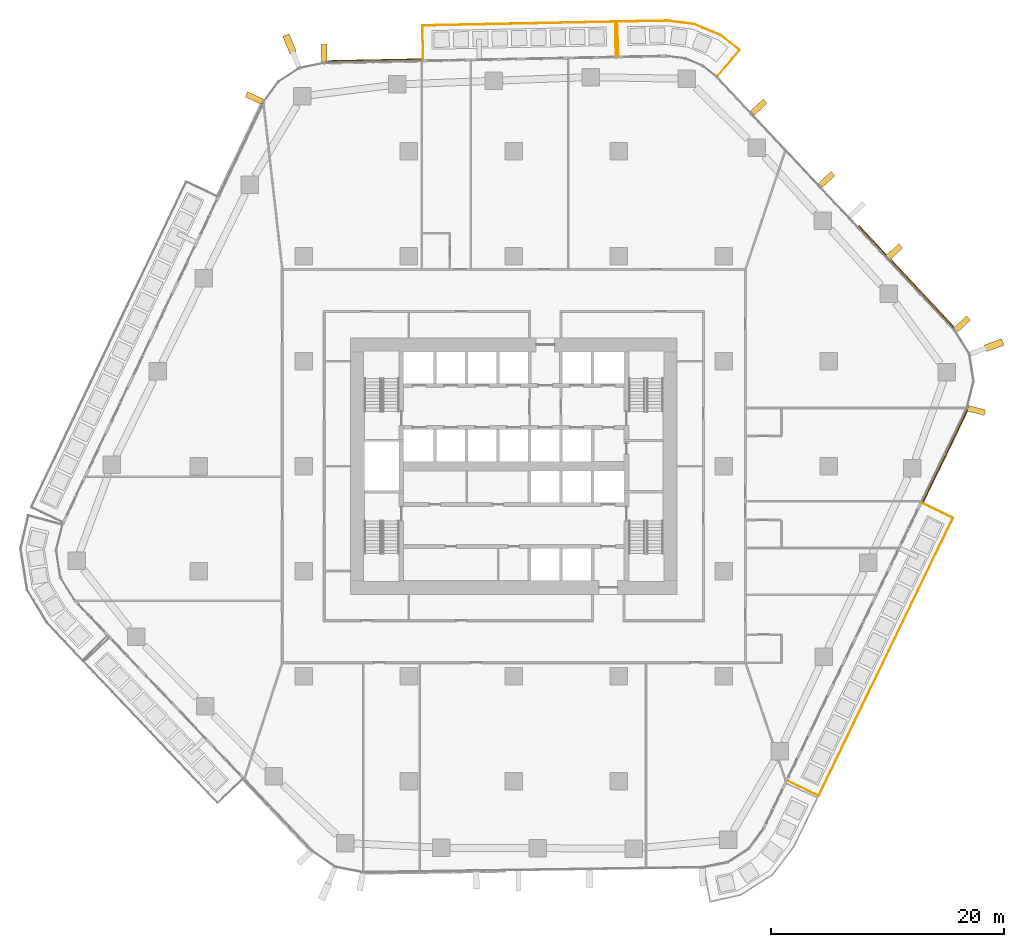
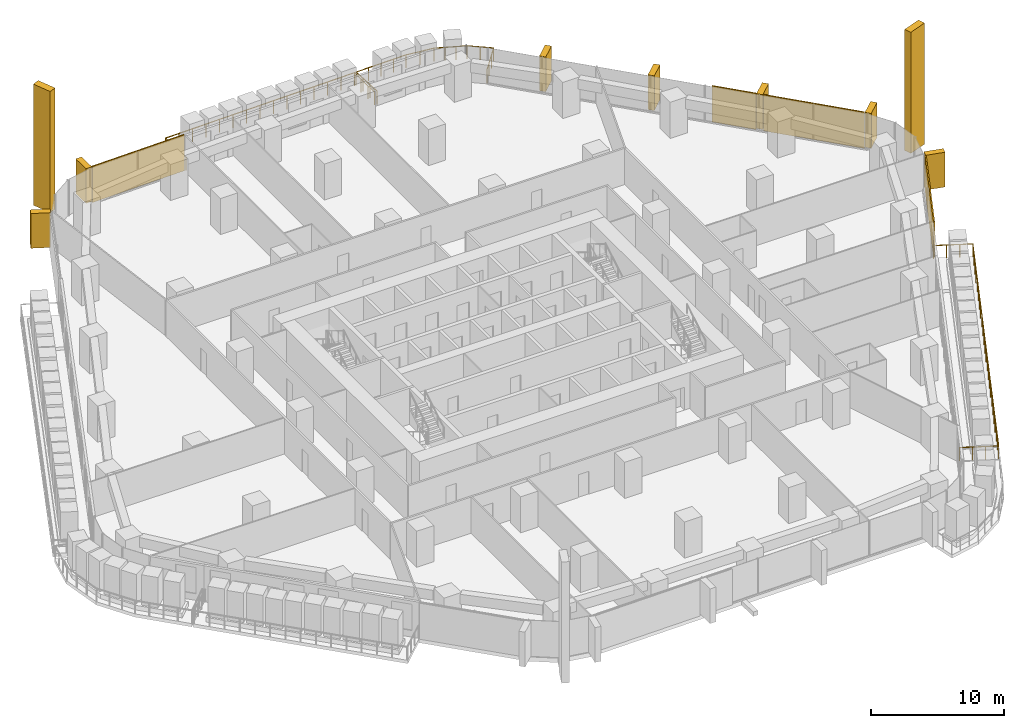
# One storey, part 24 of 24: 13 coverings, 3 railings, 6 elements without a shape of their own.
"""IFC4 building model written with IfcOpenShell, lengths in metres."""

from ifc_helpers import new_model, si_unit, direction, frame, origin, origin_2d, place, context, subcontext, project, spatial, rectangle, circle, extrude, material, layer, layer_set, material_profile, profile_set, type_object, element, aggregate, save


model = new_model("IFC4")

# Units and contexts
model_context = context("Model", 3, precision=1e-05, world=origin(), true_north=direction((0.0, 1.0)))
body_context = subcontext(model_context, "Body", "Model", "MODEL_VIEW")
ifc_project = project(units=[si_unit("LENGTHUNIT", "METRE"), si_unit("AREAUNIT", "SQUARE_METRE"), si_unit("VOLUMEUNIT", "CUBIC_METRE"), si_unit("PLANEANGLEUNIT", "RADIAN"), si_unit("MASSUNIT", "GRAM", prefix="KILO")], contexts=[model_context])

# Site, building, storey
site_placement = place(None, origin())
site = spatial("IfcSite", under=ifc_project, at=site_placement, CompositionType="ELEMENT")
building_placement = place(site_placement, origin())
building = spatial("IfcBuilding", under=site, at=building_placement, Name="Dongbaek Canopy Tower", CompositionType="ELEMENT")
storey_placement = place(building_placement, frame((0.0, 0.0, 44.0)))
storey = spatial("IfcBuildingStorey", under=building, at=storey_placement, Name="L06", CompositionType="ELEMENT", Elevation=44.0)

# Railings
ifc_material_1 = material(Name="Stainless steel", Category="steel")
railing_type = type_object("IfcRailingType", Name="Balcony balustrade 1200", PredefinedType="BALUSTRADE", material=ifc_material_1)
railing_1_placement = place(storey_placement, frame((8.749755859375, 35.16064453125, 0.0)))
element("IfcRailing", 1, at=railing_1_placement, inside=storey, type_object=railing_type, Name="Balcony guard L06 1", PredefinedType="BALUSTRADE", context=body_context, shape_type="SweptSolid", body=[
    extrude(circle(Radius=0.02392578125, at=origin_2d()), frame((0.0, 0.0, 1.17578125), z_axis=(-0.019931250494, 0.999801352897, 0.0), x_axis=(-0.999801352897, -0.019931250494, 0.0)), (0.0, 0.0, 1.0), 2.939697265625),
    extrude(circle(Radius=0.02392578125, at=origin_2d()), frame((-0.05859375, 2.939208984375, 1.17578125), z_axis=(-0.99980155692, -0.019921013534, 0.0), x_axis=(0.019921013534, -0.99980155692, 0.0)), (0.0, 0.0, 1.0), 16.532470703125),
    extrude(circle(Radius=0.02392578125, at=origin_2d()), frame((-16.587890625, 2.60986328125, 1.17578125), z_axis=(0.019929595732, -0.999801385883, 0.0), x_axis=(0.999801385883, 0.019929595732, 0.0)), (0.0, 0.0, 1.0), 2.93994140625),
    extrude(circle(Radius=0.02099609375, at=origin_2d()), origin(), (0.0, 0.0, 1.0), 1.15185546875),
    extrude(circle(Radius=0.02099609375, at=origin_2d()), frame((-0.01953125, 0.979736328125, 0.0)), (0.0, 0.0, 1.0), 1.15185546875),
    extrude(circle(Radius=0.02099609375, at=origin_2d()), frame((-0.0390625, 1.95947265625, 0.0)), (0.0, 0.0, 1.0), 1.15185546875),
    extrude(circle(Radius=0.02099609375, at=origin_2d()), frame((-0.05859375, 2.939208984375, 0.0)), (0.0, 0.0, 1.0), 1.15185546875),
    extrude(circle(Radius=0.02099609375, at=origin_2d()), frame((-1.2392578125, 2.915771484375, 0.0)), (0.0, 0.0, 1.0), 1.15185546875),
    extrude(circle(Radius=0.02099609375, at=origin_2d()), frame((-2.419921875, 2.89208984375, 0.0)), (0.0, 0.0, 1.0), 1.15185546875),
    extrude(circle(Radius=0.02099609375, at=origin_2d()), frame((-3.6005859375, 2.86865234375, 0.0)), (0.0, 0.0, 1.0), 1.15185546875),
    extrude(circle(Radius=0.02099609375, at=origin_2d()), frame((-4.78125, 2.84521484375, 0.0)), (0.0, 0.0, 1.0), 1.15185546875),
    extrude(circle(Radius=0.02099609375, at=origin_2d()), frame((-5.9619140625, 2.821533203125, 0.0)), (0.0, 0.0, 1.0), 1.15185546875),
    extrude(circle(Radius=0.02099609375, at=origin_2d()), frame((-7.142578125, 2.798095703125, 0.0)), (0.0, 0.0, 1.0), 1.15185546875),
    extrude(circle(Radius=0.02099609375, at=origin_2d()), frame((-8.3232421875, 2.7744140625, 0.0)), (0.0, 0.0, 1.0), 1.15185546875),
    extrude(circle(Radius=0.02099609375, at=origin_2d()), frame((-9.50390625, 2.7509765625, 0.0)), (0.0, 0.0, 1.0), 1.15185546875),
    extrude(circle(Radius=0.02099609375, at=origin_2d()), frame((-10.6845703125, 2.7275390625, 0.0)), (0.0, 0.0, 1.0), 1.15185546875),
    extrude(circle(Radius=0.02099609375, at=origin_2d()), frame((-11.865234375, 2.703857421875, 0.0)), (0.0, 0.0, 1.0), 1.15185546875),
    extrude(circle(Radius=0.02099609375, at=origin_2d()), frame((-13.0458984375, 2.680419921875, 0.0)), (0.0, 0.0, 1.0), 1.15185546875),
    extrude(circle(Radius=0.02099609375, at=origin_2d()), frame((-14.2265625, 2.656982421875, 0.0)), (0.0, 0.0, 1.0), 1.15185546875),
    extrude(circle(Radius=0.02099609375, at=origin_2d()), frame((-15.4072265625, 2.63330078125, 0.0)), (0.0, 0.0, 1.0), 1.15185546875),
    extrude(circle(Radius=0.02099609375, at=origin_2d()), frame((-16.587890625, 2.60986328125, 0.0)), (0.0, 0.0, 1.0), 1.15185546875),
    extrude(circle(Radius=0.02099609375, at=origin_2d()), frame((-16.568359375, 1.630126953125, 0.0)), (0.0, 0.0, 1.0), 1.15185546875),
    extrude(circle(Radius=0.02099609375, at=origin_2d()), frame((-16.548828125, 0.650146484375, 0.0)), (0.0, 0.0, 1.0), 1.15185546875),
    extrude(circle(Radius=0.02099609375, at=origin_2d()), frame((-16.529296875, -0.32958984375, 0.0)), (0.0, 0.0, 1.0), 1.15185546875),
])
railing_2_placement = place(storey_placement, frame((17.45703125, 33.421142578125, 0.0)))
element("IfcRailing", 2, at=railing_2_placement, inside=storey, type_object=railing_type, Name="Balcony guard L06 5", PredefinedType="BALUSTRADE", context=body_context, shape_type="SweptSolid", body=[
    extrude(circle(Radius=0.02392578125, at=origin_2d()), frame((0.0, 0.0, 1.17578125), z_axis=(0.642907779977, 0.765943592209, 0.0), x_axis=(-0.765943592209, 0.642907779977, 0.0)), (0.0, 0.0, 1.0), 2.940673828125),
    extrude(circle(Radius=0.02392578125, at=origin_2d()), frame((1.890625, 2.25244140625, 1.17578125), z_axis=(-0.787748761322, 0.61599666317, 0.0), x_axis=(-0.61599666317, -0.787748761322, 0.0)), (0.0, 0.0, 1.0), 2.0283203125),
    extrude(circle(Radius=0.02392578125, at=origin_2d()), frame((0.292724609375, 3.501953125, 1.17578125), z_axis=(-0.921559598396, 0.388236920713, 0.0), x_axis=(-0.388236920713, -0.921559598396, 0.0)), (0.0, 0.0, 1.0), 2.487060546875),
    extrude(circle(Radius=0.02392578125, at=origin_2d()), frame((-1.999267578125, 4.467529296875, 1.17578125), z_axis=(-0.991677748115, 0.128744879095, 0.0), x_axis=(-0.128744879095, -0.991677748115, 0.0)), (0.0, 0.0, 1.0), 2.283203125),
    extrude(circle(Radius=0.02392578125, at=origin_2d()), frame((-4.263427734375, 4.761474609375, 1.17578125), z_axis=(-0.999833112969, -0.018268722197, 0.0), x_axis=(0.018268722197, -0.999833112969, 0.0)), (0.0, 0.0, 1.0), 4.34326171875),
    extrude(circle(Radius=0.02392578125, at=origin_2d()), frame((-8.60595703125, 4.68212890625, 1.17578125), z_axis=(0.040349332627, -0.999185634082, 0.0), x_axis=(0.999185634082, 0.040349332627, 0.0)), (0.0, 0.0, 1.0), 2.940673828125),
    extrude(circle(Radius=0.02099609375, at=origin_2d()), origin(), (0.0, 0.0, 1.0), 1.15185546875),
    extrude(circle(Radius=0.02099609375, at=origin_2d()), frame((0.630126953125, 0.750732421875, 0.0)), (0.0, 0.0, 1.0), 1.15185546875),
    extrude(circle(Radius=0.02099609375, at=origin_2d()), frame((1.260498046875, 1.501708984375, 0.0)), (0.0, 0.0, 1.0), 1.15185546875),
    extrude(circle(Radius=0.02099609375, at=origin_2d()), frame((1.890625, 2.25244140625, 0.0)), (0.0, 0.0, 1.0), 1.15185546875),
    extrude(circle(Radius=0.02099609375, at=origin_2d()), frame((1.091796875, 2.877197265625, 0.0)), (0.0, 0.0, 1.0), 1.15185546875),
    extrude(circle(Radius=0.02099609375, at=origin_2d()), frame((0.292724609375, 3.501953125, 0.0)), (0.0, 0.0, 1.0), 1.15185546875),
    extrude(circle(Radius=0.02099609375, at=origin_2d()), frame((-0.47119140625, 3.82373046875, 0.0)), (0.0, 0.0, 1.0), 1.15185546875),
    extrude(circle(Radius=0.02099609375, at=origin_2d()), frame((-1.2353515625, 4.145751953125, 0.0)), (0.0, 0.0, 1.0), 1.15185546875),
    extrude(circle(Radius=0.02099609375, at=origin_2d()), frame((-1.999267578125, 4.467529296875, 0.0)), (0.0, 0.0, 1.0), 1.15185546875),
    extrude(circle(Radius=0.02099609375, at=origin_2d()), frame((-3.13134765625, 4.614501953125, 0.0)), (0.0, 0.0, 1.0), 1.15185546875),
    extrude(circle(Radius=0.02099609375, at=origin_2d()), frame((-4.263427734375, 4.761474609375, 0.0)), (0.0, 0.0, 1.0), 1.15185546875),
    extrude(circle(Radius=0.02099609375, at=origin_2d()), frame((-5.34912109375, 4.74169921875, 0.0)), (0.0, 0.0, 1.0), 1.15185546875),
    extrude(circle(Radius=0.02099609375, at=origin_2d()), frame((-6.4345703125, 4.7216796875, 0.0)), (0.0, 0.0, 1.0), 1.15185546875),
    extrude(circle(Radius=0.02099609375, at=origin_2d()), frame((-7.520263671875, 4.701904296875, 0.0)), (0.0, 0.0, 1.0), 1.15185546875),
    extrude(circle(Radius=0.02099609375, at=origin_2d()), frame((-8.60595703125, 4.68212890625, 0.0)), (0.0, 0.0, 1.0), 1.15185546875),
    extrude(circle(Radius=0.02099609375, at=origin_2d()), frame((-8.56640625, 3.70263671875, 0.0)), (0.0, 0.0, 1.0), 1.15185546875),
    extrude(circle(Radius=0.02099609375, at=origin_2d()), frame((-8.52685546875, 2.723388671875, 0.0)), (0.0, 0.0, 1.0), 1.15185546875),
    extrude(circle(Radius=0.02099609375, at=origin_2d()), frame((-8.4873046875, 1.743896484375, 0.0)), (0.0, 0.0, 1.0), 1.15185546875),
])
railing_3_placement = place(storey_placement, frame((23.4755859375, -26.99560546875, 0.0)))
element("IfcRailing", 3, at=railing_3_placement, inside=storey, type_object=railing_type, Name="Balcony guard L06 4", PredefinedType="BALUSTRADE", context=body_context, shape_type="SweptSolid", body=[
    extrude(circle(Radius=0.02392578125, at=origin_2d()), frame((0.0, 0.0, 1.17578125), z_axis=(0.900293637033, -0.435283088482, 0.0), x_axis=(0.435283088482, 0.900293637033, 0.0)), (0.0, 0.0, 1.0), 2.940185546875),
    extrude(circle(Radius=0.02392578125, at=origin_2d()), frame((2.64697265625, -1.27978515625, 1.17578125), z_axis=(0.435241934157, 0.900313533582, 0.0), x_axis=(-0.900313533582, 0.435241934157, 0.0)), (0.0, 0.0, 1.0), 26.46875),
    extrude(circle(Radius=0.02392578125, at=origin_2d()), frame((14.167236328125, 22.55029296875, 1.17578125), z_axis=(-0.900326176682, 0.435215780482, 0.0), x_axis=(-0.435215780482, -0.900326176682, 0.0)), (0.0, 0.0, 1.0), 2.93994140625),
    extrude(circle(Radius=0.02099609375, at=origin_2d()), origin(), (0.0, 0.0, 1.0), 1.15185546875),
    extrude(circle(Radius=0.02099609375, at=origin_2d()), frame((0.88232421875, -0.426513671875, 0.0)), (0.0, 0.0, 1.0), 1.15185546875),
    extrude(circle(Radius=0.02099609375, at=origin_2d()), frame((1.7646484375, -0.853271484375, 0.0)), (0.0, 0.0, 1.0), 1.15185546875),
    extrude(circle(Radius=0.02099609375, at=origin_2d()), frame((2.64697265625, -1.27978515625, 0.0)), (0.0, 0.0, 1.0), 1.15185546875),
    extrude(circle(Radius=0.02099609375, at=origin_2d()), frame((3.14794921875, -0.24365234375, 0.0)), (0.0, 0.0, 1.0), 1.15185546875),
    extrude(circle(Radius=0.02099609375, at=origin_2d()), frame((3.648681640625, 0.79248046875, 0.0)), (0.0, 0.0, 1.0), 1.15185546875),
    extrude(circle(Radius=0.02099609375, at=origin_2d()), frame((4.149658203125, 1.828369140625, 0.0)), (0.0, 0.0, 1.0), 1.15185546875),
    extrude(circle(Radius=0.02099609375, at=origin_2d()), frame((4.650390625, 2.864501953125, 0.0)), (0.0, 0.0, 1.0), 1.15185546875),
    extrude(circle(Radius=0.02099609375, at=origin_2d()), frame((5.1513671875, 3.900634765625, 0.0)), (0.0, 0.0, 1.0), 1.15185546875),
    extrude(circle(Radius=0.02099609375, at=origin_2d()), frame((5.65234375, 4.936767578125, 0.0)), (0.0, 0.0, 1.0), 1.15185546875),
    extrude(circle(Radius=0.02099609375, at=origin_2d()), frame((6.153076171875, 5.972900390625, 0.0)), (0.0, 0.0, 1.0), 1.15185546875),
    extrude(circle(Radius=0.02099609375, at=origin_2d()), frame((6.654052734375, 7.009033203125, 0.0)), (0.0, 0.0, 1.0), 1.15185546875),
    extrude(circle(Radius=0.02099609375, at=origin_2d()), frame((7.15478515625, 8.044921875, 0.0)), (0.0, 0.0, 1.0), 1.15185546875),
    extrude(circle(Radius=0.02099609375, at=origin_2d()), frame((7.65576171875, 9.0810546875, 0.0)), (0.0, 0.0, 1.0), 1.15185546875),
    extrude(circle(Radius=0.02099609375, at=origin_2d()), frame((8.15673828125, 10.1171875, 0.0)), (0.0, 0.0, 1.0), 1.15185546875),
    extrude(circle(Radius=0.02099609375, at=origin_2d()), frame((8.657470703125, 11.1533203125, 0.0)), (0.0, 0.0, 1.0), 1.15185546875),
    extrude(circle(Radius=0.02099609375, at=origin_2d()), frame((9.158447265625, 12.189453125, 0.0)), (0.0, 0.0, 1.0), 1.15185546875),
    extrude(circle(Radius=0.02099609375, at=origin_2d()), frame((9.659423828125, 13.2255859375, 0.0)), (0.0, 0.0, 1.0), 1.15185546875),
    extrude(circle(Radius=0.02099609375, at=origin_2d()), frame((10.16015625, 14.261474609375, 0.0)), (0.0, 0.0, 1.0), 1.15185546875),
    extrude(circle(Radius=0.02099609375, at=origin_2d()), frame((10.6611328125, 15.297607421875, 0.0)), (0.0, 0.0, 1.0), 1.15185546875),
    extrude(circle(Radius=0.02099609375, at=origin_2d()), frame((11.161865234375, 16.333740234375, 0.0)), (0.0, 0.0, 1.0), 1.15185546875),
    extrude(circle(Radius=0.02099609375, at=origin_2d()), frame((11.662841796875, 17.369873046875, 0.0)), (0.0, 0.0, 1.0), 1.15185546875),
    extrude(circle(Radius=0.02099609375, at=origin_2d()), frame((12.163818359375, 18.406005859375, 0.0)), (0.0, 0.0, 1.0), 1.15185546875),
    extrude(circle(Radius=0.02099609375, at=origin_2d()), frame((12.66455078125, 19.442138671875, 0.0)), (0.0, 0.0, 1.0), 1.15185546875),
    extrude(circle(Radius=0.02099609375, at=origin_2d()), frame((13.16552734375, 20.47802734375, 0.0)), (0.0, 0.0, 1.0), 1.15185546875),
    extrude(circle(Radius=0.02099609375, at=origin_2d()), frame((13.666259765625, 21.51416015625, 0.0)), (0.0, 0.0, 1.0), 1.15185546875),
    extrude(circle(Radius=0.02099609375, at=origin_2d()), frame((14.167236328125, 22.55029296875, 0.0)), (0.0, 0.0, 1.0), 1.15185546875),
    extrude(circle(Radius=0.02099609375, at=origin_2d()), frame((13.284912109375, 22.976806640625, 0.0)), (0.0, 0.0, 1.0), 1.15185546875),
    extrude(circle(Radius=0.02099609375, at=origin_2d()), frame((12.402587890625, 23.4033203125, 0.0)), (0.0, 0.0, 1.0), 1.15185546875),
    extrude(circle(Radius=0.02099609375, at=origin_2d()), frame((11.520263671875, 23.829833984375, 0.0)), (0.0, 0.0, 1.0), 1.15185546875),
])

# Curtain wall, covering
ifc_material_2 = material(Name="Aluminium 6063-T6 pale anodised", Category="aluminium")
ifc_layer_1 = layer(ifc_material_2, 0.199951171875)
ifc_layer_set_1 = layer_set([ifc_layer_1], Name="CW-1 unitised tower curtain wall")
curtain_wall_type = type_object("IfcCurtainWallType", Name="CW-1 unitised tower curtain wall", PredefinedType="NOTDEFINED", material=ifc_layer_set_1)
curtain_wall_1_placement = place(storey_placement, origin())
curtain_wall_1 = element("IfcCurtainWall", 4, at=curtain_wall_1_placement, inside=storey, type_object=curtain_wall_type, Name="CW-1 curtain wall K0.1", PredefinedType="NOTDEFINED")
ifc_material_3 = material(Name="Aluminium 6063-T6 pale metal fin", Category="aluminium")
ifc_material_profile_1 = material_profile(ifc_material_3, rectangle(XDim=1.60009765625, YDim=0.60009765625, at=origin_2d()), Name="Corner fin CN1 600 x 1600 pale metal")
ifc_profile_set_1 = profile_set([ifc_material_profile_1], Name="Aluminium 6063-T6 pale metal fin")
covering_type_1 = type_object("IfcCoveringType", Name="Corner fin CN1 600 x 1600 pale metal", PredefinedType="CLADDING", material=ifc_profile_set_1)
covering_1_placement = place(storey_placement, frame((41.163818359375, 10.365478515625, -0.199951171875), z_axis=(0.0, 0.0, 1.0), x_axis=(0.938629752704, 0.344926350601, 0.0)))
covering_1 = element("IfcCovering", 5, at=covering_1_placement, type_object=covering_type_1, Name="Corner fin L06 L08 K0", PredefinedType="CLADDING", context=body_context, shape_type="SweptSolid", body=[
    extrude(rectangle(XDim=1.60009765625, YDim=0.60009765625, at=origin_2d()), origin(), (0.0, 0.0, 1.0), 11.079833984375),
])

curtain_wall_2_placement = place(storey_placement, origin())
curtain_wall_2 = element("IfcCurtainWall", 6, at=curtain_wall_2_placement, inside=storey, type_object=curtain_wall_type, Name="CW-1 curtain wall K2.1", PredefinedType="NOTDEFINED")
covering_2_placement = place(storey_placement, frame((-19.234130859375, 36.205078125, -0.199951171875), z_axis=(0.0, 0.0, 1.0), x_axis=(-0.379075035592, 0.925365937017, 0.0)))
covering_2 = element("IfcCovering", 7, at=covering_2_placement, type_object=covering_type_1, Name="Corner fin L06 L08 K2", PredefinedType="CLADDING", context=body_context, shape_type="SweptSolid", body=[
    extrude(rectangle(XDim=1.60009765625, YDim=0.60009765625, at=origin_2d()), origin(), (0.0, 0.0, 1.0), 11.079833984375),
])
aggregate(curtain_wall_2, [covering_2])

curtain_wall_3_placement = place(storey_placement, origin())
curtain_wall_3 = element("IfcCurtainWall", 8, at=curtain_wall_3_placement, inside=storey, type_object=curtain_wall_type, Name="CW-1 curtain wall F5.1", PredefinedType="NOTDEFINED")
ifc_material_4 = material(Name="Perforated aluminium 6063-T6 pale metal screen", Category="aluminium")
ifc_layer_2 = layer(ifc_material_4, 0.10009765625)
ifc_layer_set_2 = layer_set([ifc_layer_2], Name="Facet screen FS1 100 pale metal")
covering_type_2 = type_object("IfcCoveringType", Name="Facet screen FS1 100 pale metal", PredefinedType="CLADDING", material=ifc_layer_set_2)
covering_3_placement = place(storey_placement, frame((36.992919921875, 0.859130859375, 0.0), z_axis=(0.0, 0.0, 1.0), x_axis=(0.435245241493, 0.900311934697, 0.0)))
covering_3 = element("IfcCovering", 9, at=covering_3_placement, type_object=covering_type_2, Name="Facet screen L06 F5", PredefinedType="CLADDING", context=body_context, shape_type="SweptSolid", body=[
    extrude(rectangle(XDim=8.765380859375, YDim=0.10009765625, at=origin_2d()), origin(), (0.0, 0.0, 1.0), 3.300048828125),
])
aggregate(curtain_wall_3, [covering_3])

# Curtain wall, coverings
curtain_wall_4_placement = place(storey_placement, origin())
curtain_wall_4 = element("IfcCurtainWall", 10, at=curtain_wall_4_placement, inside=storey, type_object=curtain_wall_type, Name="CW-1 curtain wall F0.1", PredefinedType="NOTDEFINED")
covering_4_placement = place(storey_placement, frame((35.013427734375, 14.793212890625, 0.0), z_axis=(0.0, 0.0, 1.0), x_axis=(-0.684120771704, 0.729368747427, 0.0)))
covering_4 = element("IfcCovering", 11, at=covering_4_placement, type_object=covering_type_2, Name="Facet screen L06 F0", PredefinedType="CLADDING", context=body_context, shape_type="SweptSolid", body=[
    extrude(rectangle(XDim=7.90771484375, YDim=0.10009765625, at=origin_2d()), origin(), (0.0, 0.0, 1.0), 3.300048828125),
])
covering_5_placement = place(storey_placement, frame((30.73828125, 19.351318359375, 0.0), z_axis=(0.0, 0.0, 1.0), x_axis=(-0.684120771704, 0.729368747427, 0.0)))
covering_5 = element("IfcCovering", 12, at=covering_5_placement, type_object=covering_type_2, Name="Facet screen L06 F0", PredefinedType="CLADDING", context=body_context, shape_type="SweptSolid", body=[
    extrude(rectangle(XDim=3.430908203125, YDim=0.10009765625, at=origin_2d()), origin(), (0.0, 0.0, 1.0), 3.300048828125),
])

# Curtain wall, covering
curtain_wall_5_placement = place(storey_placement, origin())
curtain_wall_5 = element("IfcCurtainWall", 13, at=curtain_wall_5_placement, inside=storey, type_object=curtain_wall_type, Name="CW-1 curtain wall F1.1", PredefinedType="NOTDEFINED")
covering_6_placement = place(storey_placement, frame((-11.92822265625, 34.79443359375, 0.0), z_axis=(0.0, 0.0, 1.0), x_axis=(-0.999801475381, -0.019925105424, 0.0)))
covering_6 = element("IfcCovering", 14, at=covering_6_placement, type_object=covering_type_2, Name="Facet screen L06 F1", PredefinedType="CLADDING", context=body_context, shape_type="SweptSolid", body=[
    extrude(rectangle(XDim=8.0771484375, YDim=0.10009765625, at=origin_2d()), origin(), (0.0, 0.0, 1.0), 3.300048828125),
])

# Covering
ifc_material_5 = material(Name="Aluminium 6063-T6 pale metal fin", Category="aluminium")
ifc_material_profile_2 = material_profile(ifc_material_5, rectangle(XDim=1.5, YDim=0.5, at=origin_2d()), Name="Fin FN1 500 x 1500 pale metal")
ifc_profile_set_2 = profile_set([ifc_material_profile_2], Name="Aluminium 6063-T6 pale metal fin")
covering_type_3 = type_object("IfcCoveringType", Name="Fin FN1 500 x 1500 pale metal", PredefinedType="CLADDING", material=ifc_profile_set_2)
covering_7_placement = place(storey_placement, frame((39.64501953125, 4.76708984375, 0.1201171875), z_axis=(0.0, 0.0, 1.0), x_axis=(0.968988452796, -0.247106006298, 0.0)))
covering_7 = element("IfcCovering", 15, at=covering_7_placement, type_object=covering_type_3, Name="Fin K0.1.1", PredefinedType="CLADDING", context=body_context, shape_type="SweptSolid", body=[
    extrude(rectangle(XDim=1.5, YDim=0.5, at=origin_2d()), origin(), (0.0, 0.0, 1.0), 3.179931640625),
])

aggregate(curtain_wall_1, [covering_7, covering_1])

covering_8_placement = place(storey_placement, frame((38.43017578125, 12.179443359375, 0.1201171875), z_axis=(0.0, 0.0, 1.0), x_axis=(0.729369243815, 0.684120242484, 0.0)))
covering_8 = element("IfcCovering", 16, at=covering_8_placement, type_object=covering_type_3, Name="Fin F0.1.1", PredefinedType="CLADDING", context=body_context, shape_type="SweptSolid", body=[
    extrude(rectangle(XDim=1.5, YDim=0.5, at=origin_2d()), origin(), (0.0, 0.0, 1.0), 3.179931640625),
])

covering_9_placement = place(storey_placement, frame((32.62353515625, 18.3701171875, 0.1201171875), z_axis=(0.0, 0.0, 1.0), x_axis=(0.729369243815, 0.684120242484, 0.0)))
covering_9 = element("IfcCovering", 17, at=covering_9_placement, type_object=covering_type_3, Name="Fin F0.1.3", PredefinedType="CLADDING", context=body_context, shape_type="SweptSolid", body=[
    extrude(rectangle(XDim=1.5, YDim=0.5, at=origin_2d()), origin(), (0.0, 0.0, 1.0), 3.179931640625),
])

covering_10_placement = place(storey_placement, frame((26.81005859375, 24.568115234375, 0.1201171875), z_axis=(0.0, 0.0, 1.0), x_axis=(0.729369243815, 0.684120242484, 0.0)))
covering_10 = element("IfcCovering", 18, at=covering_10_placement, type_object=covering_type_3, Name="Fin F0.1.5", PredefinedType="CLADDING", context=body_context, shape_type="SweptSolid", body=[
    extrude(rectangle(XDim=1.5, YDim=0.5, at=origin_2d()), origin(), (0.0, 0.0, 1.0), 3.179931640625),
])

covering_11_placement = place(storey_placement, frame((20.99658203125, 30.76611328125, 0.1201171875), z_axis=(0.0, 0.0, 1.0), x_axis=(0.729369243815, 0.684120242484, 0.0)))
covering_11 = element("IfcCovering", 19, at=covering_11_placement, type_object=covering_type_3, Name="Fin F0.1.7", PredefinedType="CLADDING", context=body_context, shape_type="SweptSolid", body=[
    extrude(rectangle(XDim=1.5, YDim=0.5, at=origin_2d()), origin(), (0.0, 0.0, 1.0), 3.179931640625),
])

aggregate(curtain_wall_4, [covering_8, covering_9, covering_10, covering_11, covering_4, covering_5])

covering_12_placement = place(storey_placement, frame((-16.27001953125, 35.412109375, 0.1201171875), z_axis=(0.0, 0.0, 1.0), x_axis=(-0.019925757664, 0.999801462382, 0.0)))
covering_12 = element("IfcCovering", 20, at=covering_12_placement, type_object=covering_type_3, Name="Fin F1.1.3", PredefinedType="CLADDING", context=body_context, shape_type="SweptSolid", body=[
    extrude(rectangle(XDim=1.5, YDim=0.5, at=origin_2d()), origin(), (0.0, 0.0, 1.0), 3.179931640625),
])

aggregate(curtain_wall_5, [covering_12, covering_6])

# Curtain wall, covering
curtain_wall_6_placement = place(storey_placement, origin())
curtain_wall_6 = element("IfcCurtainWall", 21, at=curtain_wall_6_placement, inside=storey, type_object=curtain_wall_type, Name="CW-1 curtain wall F2.1", PredefinedType="NOTDEFINED")
covering_13_placement = place(storey_placement, frame((-22.243408203125, 31.555908203125, 0.1201171875), z_axis=(0.0, 0.0, 1.0), x_axis=(-0.902928815129, 0.429790128796, 0.0)))
covering_13 = element("IfcCovering", 22, at=covering_13_placement, type_object=covering_type_3, Name="Fin F2.1.1", PredefinedType="CLADDING", context=body_context, shape_type="SweptSolid", body=[
    extrude(rectangle(XDim=1.5, YDim=0.5, at=origin_2d()), origin(), (0.0, 0.0, 1.0), 3.179931640625),
])
aggregate(curtain_wall_6, [covering_13])

save(model, "model.ifc")
